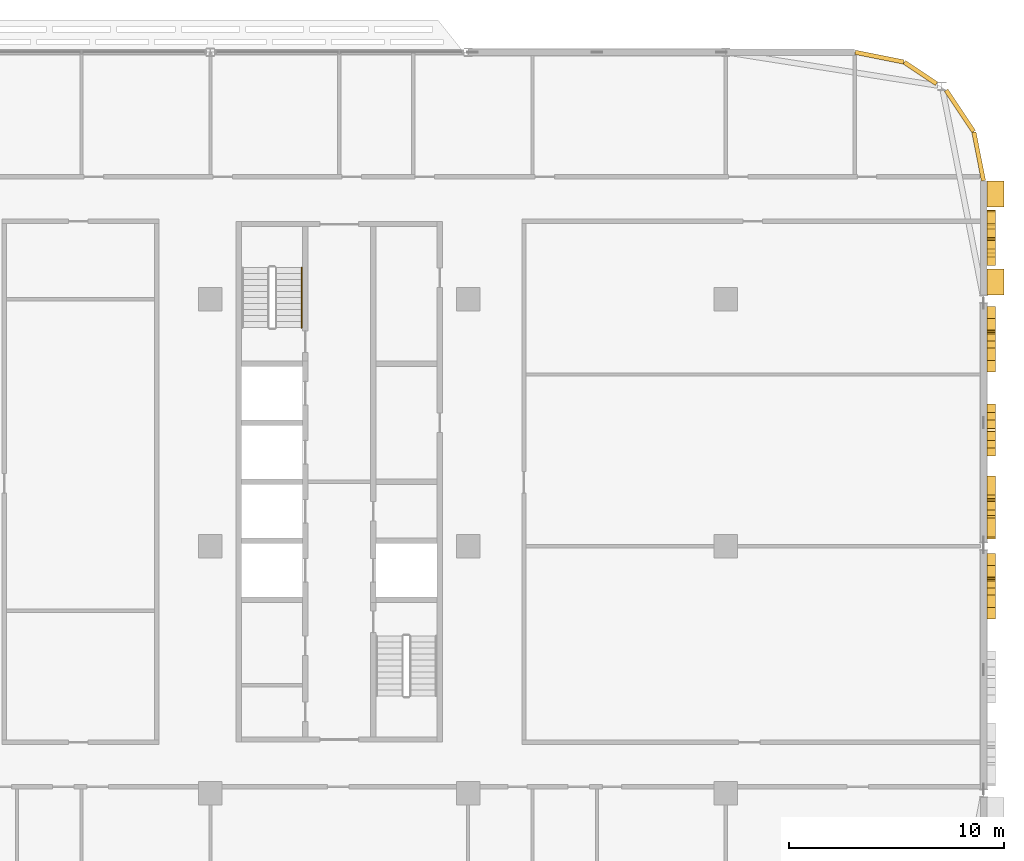
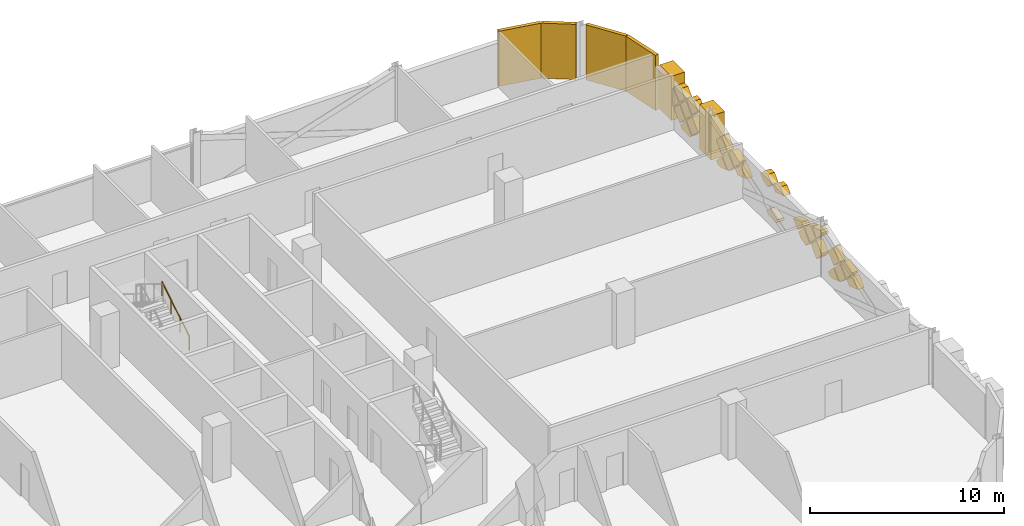
# One storey, part 30 of 30: 31 coverings, 1 railing.
"""IFC4 building model written with IfcOpenShell, lengths in metres."""

from ifc_helpers import new_model, si_unit, direction, frame, origin, origin_2d, place, context, subcontext, project, spatial, polyline, rectangle, circle, outline, extrude, material, layer, layer_set, type_object, element, save


model = new_model("IFC4")

# Units and contexts
model_context = context("Model", 3, precision=1e-05, world=origin(), true_north=direction((0.0, 1.0)))
body_context = subcontext(model_context, "Body", "Model", "MODEL_VIEW")
ifc_project = project(units=[si_unit("LENGTHUNIT", "METRE"), si_unit("AREAUNIT", "SQUARE_METRE"), si_unit("VOLUMEUNIT", "CUBIC_METRE"), si_unit("PLANEANGLEUNIT", "RADIAN"), si_unit("MASSUNIT", "GRAM", prefix="KILO")], contexts=[model_context])

# Site, building, storey
site_placement = place(None, origin())
site = spatial("IfcSite", under=ifc_project, at=site_placement, CompositionType="ELEMENT")
building_placement = place(site_placement, origin())
building = spatial("IfcBuilding", under=site, at=building_placement, Name="Mahtab Terrace Research Tower", CompositionType="ELEMENT")
storey_placement = place(building_placement, frame((0.0, 0.0, 212.89990234375)))
storey = spatial("IfcBuildingStorey", under=building, at=storey_placement, Name="L51", CompositionType="ELEMENT", Elevation=212.89990234375)

# Coverings
ifc_material_1 = material(Name="Black aluminium cladding panel", Category="aluminium")
ifc_layer_1 = layer(ifc_material_1, 0.199951171875)
ifc_layer_set_1 = layer_set([ifc_layer_1], Name="Black metal corner cladding 200")
covering_type_1 = type_object("IfcCoveringType", Name="Black metal corner cladding 200", PredefinedType="CLADDING", material=ifc_layer_set_1)
covering_1_placement = place(storey_placement, frame((52.89306640625, 20.26953125, 0.0), z_axis=(0.0, 0.0, 1.0), x_axis=(-0.555291490808, 0.831655794326, 0.0)))
element("IfcCovering", 1, at=covering_1_placement, inside=storey, type_object=covering_type_1, Name="Corner cladding L51 0", PredefinedType="CLADDING", context=body_context, shape_type="SweptSolid", body=[
    extrude(rectangle(XDim=2.30126953125, YDim=0.199951171875, at=origin_2d()), origin(), (0.0, 0.0, 1.0), 3.4599609375),
])
covering_2_placement = place(storey_placement, frame((51.059814453125, 22.032958984375, 0.0), z_axis=(0.0, 0.0, 1.0), x_axis=(-0.831655794326, 0.555291490808, 0.0)))
element("IfcCovering", 2, at=covering_2_placement, inside=storey, type_object=covering_type_1, Name="Corner cladding L51 1", PredefinedType="CLADDING", context=body_context, shape_type="SweptSolid", body=[
    extrude(rectangle(XDim=1.797119140625, YDim=0.199951171875, at=origin_2d()), origin(), (0.0, 0.0, 1.0), 3.4599609375),
])
for number, where, z_axis, x_axis, name in (
    (3, (49.14794921875, 22.771484375, 0.0), (0.0, 0.0, 1.0), (-0.980760981187, 0.195212442692, 0.0), "Corner cladding L51 2"),
    (4, (53.771484375, 18.14794921875, 0.0), (0.0, 0.0, 1.0), (-0.195212442692, 0.980760981187, 0.0), "Corner cladding L51 39"),
):
    element("IfcCovering", number, at=place(storey_placement, frame(where, z_axis=z_axis, x_axis=x_axis)), inside=storey, type_object=covering_type_1, Name=name, PredefinedType="CLADDING", context=body_context, shape_type="SweptSolid", body=[
        extrude(rectangle(XDim=2.30126953125, YDim=0.199951171875, at=origin_2d()), origin(), (0.0, 0.0, 1.0), 3.4599609375),
    ])
ifc_material_2 = material(Name="Bronze anodised aluminium", Category="aluminium")
ifc_layer_2 = layer(ifc_material_2, 0.39990234375)
ifc_layer_set_2 = layer_set([ifc_layer_2], Name="Mashrabiya relief panel 400")
covering_type_2 = type_object("IfcCoveringType", Name="Mashrabiya relief panel 400", PredefinedType="CLADDING", material=ifc_layer_set_2)
covering_3_placement = place(storey_placement, frame((54.14990234375, -2.85009765625, 1.530029296875), z_axis=(-1.0, 0.0, 0.0), x_axis=(0.0, 0.707255598772, -0.706957932274)))
element("IfcCovering", 5, at=covering_3_placement, inside=storey, type_object=covering_type_2, Name="Mashrabiya lattice cell L51 E36.9", PredefinedType="CLADDING", context=body_context, shape_type="SweptSolid", body=[
    extrude(outline(polyline([(0.0, 0.0), (0.8201817362875763, 0.0), (0.8201111713048215, 0.33525423306787844), (1.5188549326194956e-05, 0.7480209384387745), (0.0, 0.0)])), origin(), (0.0, 0.0, -1.0), 0.39990234375),
])
covering_4_placement = place(storey_placement, frame((54.14990234375, -1.6201171875, 1.60009765625), z_axis=(-1.0, 0.0, 0.0), x_axis=(0.0, -0.706957932274, -0.707255598772)))
element("IfcCovering", 6, at=covering_4_placement, inside=storey, type_object=covering_type_2, Name="Mashrabiya lattice cell L51 E36.10", PredefinedType="CLADDING", context=body_context, shape_type="SweptSolid", body=[
    extrude(outline(polyline([(0.0, 0.0), (0.8201817362875763, 0.0), (0.8200090664636573, 0.8203543334390104), (0.737835526329615, 0.8203370373876246), (-9.432888528906891e-05, 0.4481565340083483), (0.0, 0.0)])), origin(), (0.0, 0.0, -1.0), 0.39990234375),
])
covering_5_placement = place(storey_placement, frame((54.14990234375, -2.1298828125, 0.9501953125), z_axis=(-1.0, 0.0, 0.0), x_axis=(0.0, 0.707106781187, 0.707106781187)))
element("IfcCovering", 7, at=covering_5_placement, inside=storey, type_object=covering_type_2, Name="Mashrabiya lattice cell L51 E36.11", PredefinedType="CLADDING", context=body_context, shape_type="SweptSolid", body=[
    extrude(outline(polyline([(0.0, 0.0), (0.8200090846279543, 0.0), (0.820181718119455, 0.820181718119455), (0.028139259114601356, 0.820181718119455), (-0.0001726334915006511, 0.7635579329072509), (0.0, 0.0)])), origin(), (0.0, 0.0, -1.0), 0.39990234375),
])
covering_6_placement = place(storey_placement, frame((54.14990234375, -0.485107421875, 0.135009765625), z_axis=(-1.0, 0.0, 0.0), x_axis=(0.0, -1.0, 0.0)))
element("IfcCovering", 8, at=covering_6_placement, inside=storey, type_object=covering_type_2, Name="Mashrabiya lattice cell L51 E36.12", PredefinedType="CLADDING", context=body_context, shape_type="SweptSolid", body=[
    extrude(outline(polyline([(0.0, 0.0), (0.27392578125, 0.0), (0.93994140625, 0.219970703125), (0.414794921875, 0.7451171875), (-0.150146484375, 0.18017578125), (-0.150146484375, 0.150146484375), (0.0, 0.0)])), origin(), (0.0, 0.0, -1.0), 0.39990234375),
])
covering_7_placement = place(storey_placement, frame((54.14990234375, -0.89990234375, 1.02001953125), z_axis=(-1.0, 0.0, 0.0), x_axis=(0.0, -0.707106781187, 0.707106781187)))
element("IfcCovering", 9, at=covering_7_placement, inside=storey, type_object=covering_type_2, Name="Mashrabiya lattice cell L51 E36.13", PredefinedType="CLADDING", context=body_context, shape_type="SweptSolid", body=[
    extrude(outline(polyline([(0.0, 0.0), (0.8203543516109556, 0.0), (0.8203543516109556, 0.8203543516109556), (0.021233919454576533, 0.820181718119455), (0.0001726334915006511, 0.7991204321563791), (0.0, 0.0)])), origin(), (0.0, 0.0, -1.0), 0.39990234375),
])
covering_8_placement = place(storey_placement, frame((54.14990234375, 0.85009765625, 1.530029296875), z_axis=(-1.0, 0.0, 0.0), x_axis=(0.0, 0.707106781187, -0.707106781187)))
element("IfcCovering", 10, at=covering_8_placement, inside=storey, type_object=covering_type_2, Name="Mashrabiya lattice cell L51 E37.1", PredefinedType="CLADDING", context=body_context, shape_type="SweptSolid", body=[
    extrude(outline(polyline([(0.0, 0.0), (0.8200090846279543, 0.0), (0.820181718119455, 0.820181718119455), (0.0918410174783309, 0.8203543516109555), (-0.0001726334915005956, 0.728340700641124), (0.0, 0.0)])), origin(), (0.0, 0.0, -1.0), 0.39990234375),
])
covering_9_placement = place(storey_placement, frame((54.14990234375, 0.85009765625, 1.670166015625), z_axis=(-1.0, 0.0, 0.0), x_axis=(0.0, -0.707274361884, 0.706939160764)))
element("IfcCovering", 11, at=covering_9_placement, inside=storey, type_object=covering_type_2, Name="Mashrabiya lattice cell L51 E37.2", PredefinedType="CLADDING", context=body_context, shape_type="SweptSolid", body=[
    extrude(outline(polyline([(0.0, 0.0), (0.728340721100177, -5.551115123125783e-17), (0.8203325601351756, 0.09203545773534705), (0.8201267420650509, 0.23204117449149148), (-0.00015278820553593642, 0.644613439156164), (0.0, 0.0)])), origin(), (0.0, 0.0, -1.0), 0.39990234375),
])
covering_10_placement = place(storey_placement, frame((54.14990234375, 2.080078125, 1.60009765625), z_axis=(-1.0, 0.0, 0.0), x_axis=(0.0, -0.707106781187, -0.707106781187)))
element("IfcCovering", 12, at=covering_10_placement, inside=storey, type_object=covering_type_2, Name="Mashrabiya lattice cell L51 E37.3", PredefinedType="CLADDING", context=body_context, shape_type="SweptSolid", body=[
    extrude(outline(polyline([(0.0, 0.0), (0.8203543516109556, 0.0), (0.8203543516109556, 0.8203543516109556), (0.12602244879545405, 0.8203543516109555), (0.0, 0.5700357889350537), (0.0, 0.0)])), origin(), (0.0, 0.0, -1.0), 0.39990234375),
])
covering_11_placement = place(storey_placement, frame((54.14990234375, 1.570068359375, 0.9501953125), z_axis=(-1.0, 0.0, 0.0), x_axis=(0.0, 0.707106781187, 0.707106781187)))
element("IfcCovering", 13, at=covering_11_placement, inside=storey, type_object=covering_type_2, Name="Mashrabiya lattice cell L51 E37.4", PredefinedType="CLADDING", context=body_context, shape_type="SweptSolid", body=[
    extrude(outline(polyline([(0.0, 0.0), (0.8200090846279543, 0.0), (0.820181718119455, 0.820181718119455), (0.4750873686097116, 0.8203543516109555), (-0.0001726334915005956, 0.5812569658825941), (0.0, 0.0)])), origin(), (0.0, 0.0, -1.0), 0.39990234375),
])
covering_12_placement = place(storey_placement, frame((54.14990234375, 2.800048828125, 1.02001953125), z_axis=(-1.0, 0.0, 0.0), x_axis=(0.0, -0.707106781187, 0.707106781187)))
element("IfcCovering", 14, at=covering_12_placement, inside=storey, type_object=covering_type_2, Name="Mashrabiya lattice cell L51 E37.5", PredefinedType="CLADDING", context=body_context, shape_type="SweptSolid", body=[
    extrude(outline(polyline([(0.0, 0.0), (0.8203543516109556, 0.0), (0.8203543516109556, 0.23754368430485584), (0.0, 0.6504829959743436), (0.0, 0.0)])), origin(), (0.0, 0.0, -1.0), 0.39990234375),
])
covering_13_placement = place(storey_placement, frame((54.14990234375, 5.330078125, 2.25), z_axis=(-1.0, 0.0, 0.0), x_axis=(0.0, -0.707457615546, -0.706755772673)))
element("IfcCovering", 15, at=covering_13_placement, inside=storey, type_object=covering_type_2, Name="Mashrabiya lattice cell L51 E37.6", PredefinedType="CLADDING", context=body_context, shape_type="SweptSolid", body=[
    extrude(outline(polyline([(0.0, 0.0), (0.3478565282108453, 0.0), (0.7613754605221904, 0.81997659880765), (0.2591847812637822, 0.8203984584639622), (0.00010606463332951677, 0.5615767643698493), (0.0, 0.0)])), origin(), (0.0, 0.0, -1.0), 0.39990234375),
])
covering_14_placement = place(storey_placement, frame((54.14990234375, 4.820068359375, 0.300048828125), z_axis=(-1.0, 0.0, 0.0), x_axis=(0.0, 0.707106781187, 0.707106781187)))
element("IfcCovering", 16, at=covering_14_placement, inside=storey, type_object=covering_type_2, Name="Mashrabiya lattice cell L51 E37.7", PredefinedType="CLADDING", context=body_context, shape_type="SweptSolid", body=[
    extrude(outline(polyline([(0.0, 0.0), (0.10599696378138189, 0.0), (0.820181718119455, 0.3592502958127942), (0.820181718119455, 0.820181718119455), (0.5867812376106141, 0.8201817181194551), (0.0, 0.2334004805088409), (0.0, 0.0)])), origin(), (0.0, 0.0, -1.0), 0.39990234375),
])
covering_15_placement = place(storey_placement, frame((54.14990234375, 5.469970703125, 2.25), z_axis=(-1.0, 0.0, 0.0), x_axis=(0.0, 0.706889377119, 0.707324118433)))
element("IfcCovering", 17, at=covering_15_placement, inside=storey, type_object=covering_type_2, Name="Mashrabiya lattice cell L51 E37.8", PredefinedType="CLADDING", context=body_context, shape_type="SweptSolid", body=[
    extrude(outline(polyline([(0.0, 0.0), (0.5615767743860279, 0.0), (0.8202748154750782, 0.2588571419753289), (0.8199295485083908, 0.8204338102233406), (0.4508391611195841, 0.8203203486840265), (-0.0001825573878581066, 0.5938591827022897), (0.0, 0.0)])), origin(), (0.0, 0.0, -1.0), 0.39990234375),
])
covering_16_placement = place(storey_placement, frame((54.14990234375, 8.64990234375, 1.530029296875), z_axis=(-1.0, 0.0, 0.0), x_axis=(0.0, 0.707255598772, -0.706957932274)))
element("IfcCovering", 18, at=covering_16_placement, inside=storey, type_object=covering_type_2, Name="Mashrabiya lattice cell L51 E37.9", PredefinedType="CLADDING", context=body_context, shape_type="SweptSolid", body=[
    extrude(outline(polyline([(0.0, 0.0), (0.8201817362875763, 0.0), (0.8201111713048215, 0.33525423306787844), (1.5188549326194956e-05, 0.7480209384387745), (0.0, 0.0)])), origin(), (0.0, 0.0, -1.0), 0.39990234375),
])
covering_17_placement = place(storey_placement, frame((54.14990234375, 9.8798828125, 1.60009765625), z_axis=(-1.0, 0.0, 0.0), x_axis=(0.0, -0.706957932274, -0.707255598772)))
element("IfcCovering", 19, at=covering_17_placement, inside=storey, type_object=covering_type_2, Name="Mashrabiya lattice cell L51 E37.10", PredefinedType="CLADDING", context=body_context, shape_type="SweptSolid", body=[
    extrude(outline(polyline([(0.0, 0.0), (0.8201817362875763, 0.0), (0.8200090664636573, 0.8203543334390104), (0.737835526329615, 0.8203370373876246), (-9.432888528906891e-05, 0.4481565340083483), (0.0, 0.0)])), origin(), (0.0, 0.0, -1.0), 0.39990234375),
])
covering_18_placement = place(storey_placement, frame((54.14990234375, 9.3701171875, 0.9501953125), z_axis=(-1.0, 0.0, 0.0), x_axis=(0.0, 0.707106781187, 0.707106781187)))
element("IfcCovering", 20, at=covering_18_placement, inside=storey, type_object=covering_type_2, Name="Mashrabiya lattice cell L51 E37.11", PredefinedType="CLADDING", context=body_context, shape_type="SweptSolid", body=[
    extrude(outline(polyline([(0.0, 0.0), (0.8200090846279543, 0.0), (0.820181718119455, 0.820181718119455), (0.028139259114601356, 0.820181718119455), (-0.0001726334915006511, 0.7635579329072509), (0.0, 0.0)])), origin(), (0.0, 0.0, -1.0), 0.39990234375),
])
covering_19_placement = place(storey_placement, frame((54.14990234375, 11.014892578125, 0.135009765625), z_axis=(-1.0, 0.0, 0.0), x_axis=(0.0, -1.0, 0.0)))
element("IfcCovering", 21, at=covering_19_placement, inside=storey, type_object=covering_type_2, Name="Mashrabiya lattice cell L51 E37.12", PredefinedType="CLADDING", context=body_context, shape_type="SweptSolid", body=[
    extrude(outline(polyline([(0.0, 0.0), (0.27392578125, 0.0), (0.93994140625, 0.219970703125), (0.414794921875, 0.7451171875), (-0.150146484375, 0.18017578125), (-0.150146484375, 0.150146484375), (0.0, 0.0)])), origin(), (0.0, 0.0, -1.0), 0.39990234375),
])
covering_20_placement = place(storey_placement, frame((54.14990234375, 10.60009765625, 1.02001953125), z_axis=(-1.0, 0.0, 0.0), x_axis=(0.0, -0.707106781187, 0.707106781187)))
element("IfcCovering", 22, at=covering_20_placement, inside=storey, type_object=covering_type_2, Name="Mashrabiya lattice cell L51 E37.13", PredefinedType="CLADDING", context=body_context, shape_type="SweptSolid", body=[
    extrude(outline(polyline([(0.0, 0.0), (0.8203543516109556, 0.0), (0.8203543516109556, 0.8203543516109556), (0.021233919454576533, 0.820181718119455), (0.0001726334915006511, 0.7991204321563791), (0.0, 0.0)])), origin(), (0.0, 0.0, -1.0), 0.39990234375),
])
covering_21_placement = place(storey_placement, frame((54.14990234375, 13.64990234375, 1.530029296875), z_axis=(-1.0, 0.0, 0.0), x_axis=(0.0, 0.707255598772, -0.706957932274)))
element("IfcCovering", 23, at=covering_21_placement, inside=storey, type_object=covering_type_2, Name="Mashrabiya lattice cell L51 E38.1", PredefinedType="CLADDING", context=body_context, shape_type="SweptSolid", body=[
    extrude(outline(polyline([(0.0, 0.0), (0.8201817362875763, 0.0), (0.8200090664636573, 0.8203543334390104), (-0.00017259715143413956, 0.8200090664636573), (0.0, 0.0)])), origin(), (0.0, 0.0, -1.0), 0.39990234375),
])
covering_22_placement = place(storey_placement, frame((54.14990234375, 14.22998046875, 2.25), z_axis=(-1.0, 0.0, 0.0), x_axis=(0.0, -0.707255598772, -0.706957932274)))
element("IfcCovering", 24, at=covering_22_placement, inside=storey, type_object=covering_type_2, Name="Mashrabiya lattice cell L51 E38.2", PredefinedType="CLADDING", context=body_context, shape_type="SweptSolid", body=[
    extrude(outline(polyline([(0.0, 0.0), (0.8201817362875763, 0.0), (0.8203543334390104, 0.8200090664636573), (0.25877763436340506, 0.8202999017478845), (-5.4431691125955695e-05, 0.5615767717480903), (0.0, 0.0)])), origin(), (0.0, 0.0, -1.0), 0.39990234375),
])
covering_23_placement = place(storey_placement, frame((54.14990234375, 13.719970703125, 0.300048828125), z_axis=(-1.0, 0.0, 0.0), x_axis=(0.0, 0.707106781187, 0.707106781187)))
element("IfcCovering", 25, at=covering_23_placement, inside=storey, type_object=covering_type_2, Name="Mashrabiya lattice cell L51 E38.3", PredefinedType="CLADDING", context=body_context, shape_type="SweptSolid", body=[
    extrude(outline(polyline([(0.0, 0.0), (0.8203543516109556, 0.0), (0.820181718119455, 0.820181718119455), (0.5869538711021146, 0.8203543516109556), (0.0, 0.2334004805088409), (0.0, 0.0)])), origin(), (0.0, 0.0, -1.0), 0.39990234375),
])
covering_24_placement = place(storey_placement, frame((54.14990234375, 14.300048828125, 2.18017578125), z_axis=(-1.0, 0.0, 0.0), x_axis=(0.0, 0.706957932274, -0.707255598772)))
element("IfcCovering", 26, at=covering_24_placement, inside=storey, type_object=covering_type_2, Name="Mashrabiya lattice cell L51 E38.4", PredefinedType="CLADDING", context=body_context, shape_type="SweptSolid", body=[
    extrude(outline(polyline([(0.0, 0.0), (0.8201817362875763, 0.0), (0.8205270032629295, 0.8201816636150915), (0.00017266982391900276, 0.8203543334390104), (0.0, 0.0)])), origin(), (0.0, 0.0, -1.0), 0.39990234375),
])
covering_25_placement = place(storey_placement, frame((54.14990234375, 14.949951171875, 1.530029296875), z_axis=(-1.0, 0.0, 0.0), x_axis=(0.0, 0.707255598772, -0.706957932274)))
element("IfcCovering", 27, at=covering_25_placement, inside=storey, type_object=covering_type_2, Name="Mashrabiya lattice cell L51 E38.5", PredefinedType="CLADDING", context=body_context, shape_type="SweptSolid", body=[
    extrude(outline(polyline([(0.0, 0.0), (0.8201817362875763, 0.0), (0.8200090664636573, 0.8203543334390104), (-0.00017259715143413956, 0.8200090664636573), (0.0, 0.0)])), origin(), (0.0, 0.0, -1.0), 0.39990234375),
])
covering_26_placement = place(storey_placement, frame((54.14990234375, 15.530029296875, 2.25), z_axis=(-1.0, 0.0, 0.0), x_axis=(0.0, -0.707255598772, -0.706957932274)))
element("IfcCovering", 28, at=covering_26_placement, inside=storey, type_object=covering_type_2, Name="Mashrabiya lattice cell L51 E38.6", PredefinedType="CLADDING", context=body_context, shape_type="SweptSolid", body=[
    extrude(outline(polyline([(0.0, 0.0), (0.8201817362875763, 0.0), (0.8203543334390104, 0.8200090664636573), (0.25877763436340506, 0.8202999017478845), (-5.4431691125955695e-05, 0.5615767717480903), (0.0, 0.0)])), origin(), (0.0, 0.0, -1.0), 0.39990234375),
])
covering_27_placement = place(storey_placement, frame((54.14990234375, 15.60009765625, 1.02001953125), z_axis=(-1.0, 0.0, 0.0), x_axis=(0.0, -0.707106781187, 0.707106781187)))
element("IfcCovering", 29, at=covering_27_placement, inside=storey, type_object=covering_type_2, Name="Mashrabiya lattice cell L51 E38.7", PredefinedType="CLADDING", context=body_context, shape_type="SweptSolid", body=[
    extrude(outline(polyline([(0.0, 0.0), (0.8203543516109556, 0.0), (0.8203543516109556, 0.8203543516109556), (0.7283407006411241, 0.820181718119455), (0.00017263349150062335, 0.09201365096983151), (0.0, 0.0)])), origin(), (0.0, 0.0, -1.0), 0.39990234375),
])
ifc_material_3 = material(Name="Glazed ceramic tile cladding", Category="masonry")
ifc_layer_3 = layer(ifc_material_3, 0.800048828125)
ifc_layer_set_3 = layer_set([ifc_layer_3], Name="Pishtaq frame pier 800")
covering_type_3 = type_object("IfcCoveringType", Name="Pishtaq frame pier 800", PredefinedType="CLADDING", material=ifc_layer_set_3)
for number, where, z_axis, x_axis, name in (
    (30, (54.550048828125, 12.300048828125, 0.0), (0.0, 0.0, 1.0), (0.0, 1.0, 0.0), "Pishtaq frame pier 38a"),
    (31, (54.550048828125, 16.39990234375, 0.0), (0.0, 0.0, 1.0), (0.0, 1.0, 0.0), "Pishtaq frame pier 38b"),
):
    element("IfcCovering", number, at=place(storey_placement, frame(where, z_axis=z_axis, x_axis=x_axis)), inside=storey, type_object=covering_type_3, Name=name, PredefinedType="CLADDING", context=body_context, shape_type="SweptSolid", body=[
        extrude(rectangle(XDim=1.199951171875, YDim=0.800048828125, at=origin_2d()), origin(), (0.0, 0.0, 1.0), 2.781982421875),
    ])

# Railing
ifc_material_4 = material(Name="Stainless steel AISI 304", Category="steel")
railing_type = type_object("IfcRailingType", Name="Stair handrail 900", PredefinedType="HANDRAIL", material=ifc_material_4)
railing_placement = place(storey_placement, frame((22.25, 10.175048828125, 0.1728515625)))
element("IfcRailing", 32, at=railing_placement, inside=storey, type_object=railing_type, Name="L51 ST3 stair handrail 1", PredefinedType="HANDRAIL", context=body_context, shape_type="SweptSolid", body=[
    extrude(circle(Radius=0.02392578125, at=origin_2d()), frame((0.0, 0.0, 0.8759765625), z_axis=(0.0, 0.851089632645, 0.525020415988), x_axis=(-1.0, 0.0, 0.0)), (0.0, 0.0, 1.0), 3.2900390625),
    extrude(circle(Radius=0.02099609375, at=origin_2d()), origin(), (0.0, 0.0, 1.0), 0.851806640625),
    extrude(circle(Radius=0.02099609375, at=origin_2d()), frame((0.0, 0.933349609375, 0.57568359375)), (0.0, 0.0, 1.0), 0.851806640625),
    extrude(circle(Radius=0.02099609375, at=origin_2d()), frame((0.0, 1.86669921875, 1.151611328125)), (0.0, 0.0, 1.0), 0.851806640625),
    extrude(circle(Radius=0.02099609375, at=origin_2d()), frame((0.0, 2.800048828125, 1.727294921875)), (0.0, 0.0, 1.0), 0.851806640625),
])

save(model, "model.ifc")
